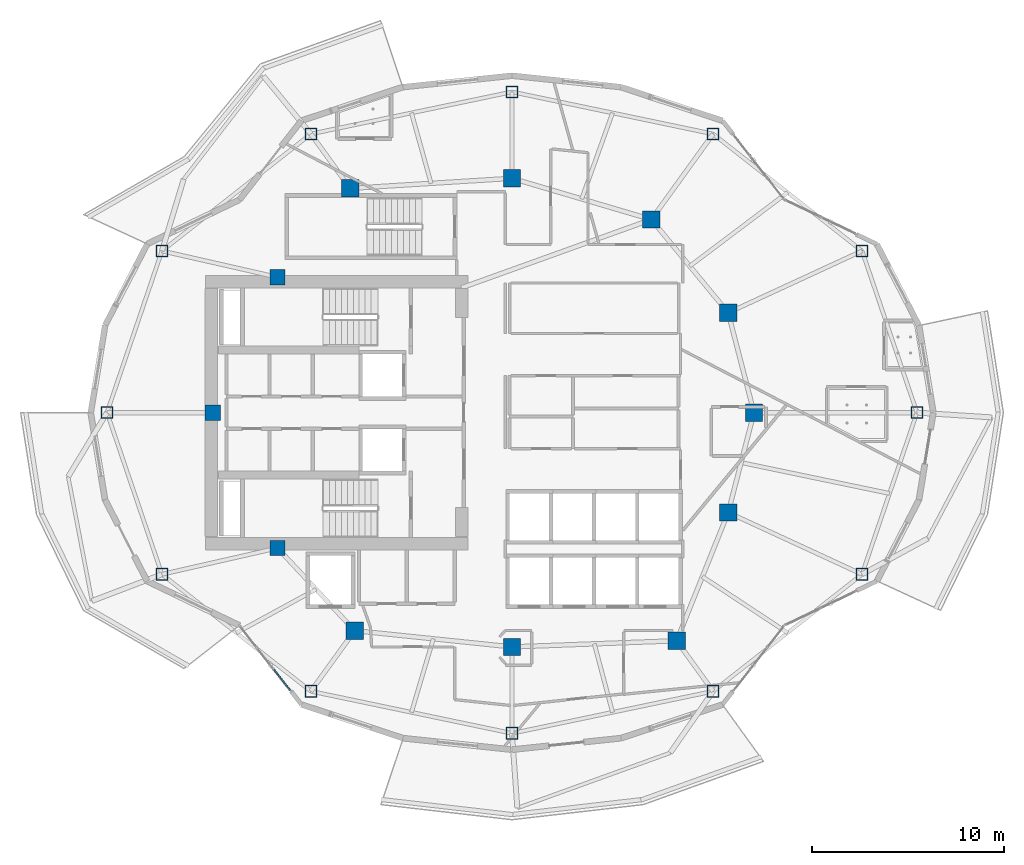
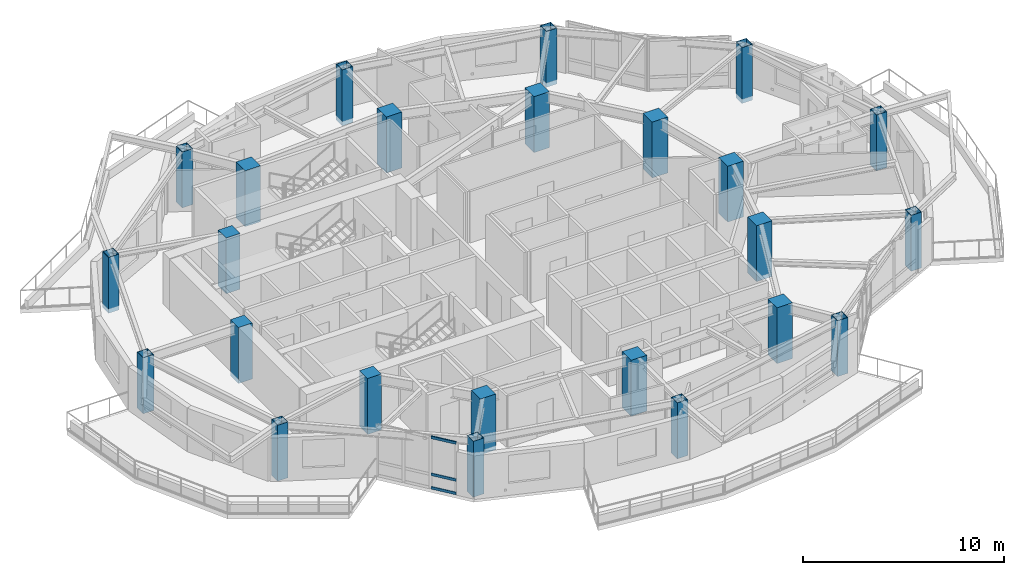
# One storey, part 1 of 19: 24 columns, 3 members, 1 element without a shape of its own.
"""IFC4 building model written with IfcOpenShell, lengths in metres."""

from ifc_helpers import new_model, si_unit, direction, frame, origin, origin_2d, place, context, subcontext, project, spatial, rectangle, hollow_rectangle, extrude, material, layer, layer_set, material_profile, profile_set, type_object, element, aggregate, save


model = new_model("IFC4")

# Units and contexts
model_context = context("Model", 3, precision=1e-05, world=origin(), true_north=direction((0.0, 1.0)))
body_context = subcontext(model_context, "Body", "Model", "MODEL_VIEW")
ifc_project = project(units=[si_unit("LENGTHUNIT", "METRE"), si_unit("AREAUNIT", "SQUARE_METRE"), si_unit("VOLUMEUNIT", "CUBIC_METRE"), si_unit("PLANEANGLEUNIT", "RADIAN"), si_unit("MASSUNIT", "GRAM", prefix="KILO")], contexts=[model_context])

# Site, building, storey
site_placement = place(None, origin())
site = spatial("IfcSite", under=ifc_project, at=site_placement, CompositionType="ELEMENT")
building_placement = place(site_placement, origin())
building = spatial("IfcBuilding", under=site, at=building_placement, Name="Kolvaren Gate Tower and Convention Centre", CompositionType="ELEMENT")
storey_placement = place(building_placement, frame((0.0, 0.0, 169.89990234375)))
storey = spatial("IfcBuildingStorey", under=building, at=storey_placement, Name="L44", CompositionType="ELEMENT", Elevation=169.89990234375)

# Columns
ifc_material_1 = material(Name="Structural steel ASTM A1085 Grade A 345 MPa", Category="steel")
ifc_material_profile_1 = material_profile(ifc_material_1, hollow_rectangle(XDim=0.610107421875, YDim=0.610107421875, WallThickness=0.025390625, at=origin_2d()), Name="HSS610X610X25.4")
ifc_profile_set_1 = profile_set([ifc_material_profile_1], Name="Structural steel ASTM A1085 Grade A 345 MPa")
column_type_1 = type_object("IfcColumnType", Name="STR-COL-HSS610", PredefinedType="COLUMN", material=ifc_profile_set_1)
for number, where, z_axis, x_axis, name in (
    (1, (51.21240234375, 27.0, -0.27001953125), (0.0, 0.0, 1.0), (1.0, 0.0, 0.0), "Tower L44 Perimeter Supercolumn TP-01"),
    (2, (48.351806640625, 35.418701171875, -0.27001953125), (0.0, 0.0, 1.0), (1.0, 0.0, 0.0), "Tower L44 Perimeter Supercolumn TP-02"),
    (3, (40.596435546875, 41.509521484375, -0.27001953125), (0.0, 0.0, 1.0), (1.0, 0.0, 0.0), "Tower L44 Perimeter Supercolumn TP-03"),
    (4, (30.125, 43.699951171875, -0.27001953125), (0.0, 0.0, 1.0), (1.0, 0.0, 0.0), "Tower L44 Perimeter Supercolumn TP-04"),
    (5, (19.65380859375, 41.509521484375, -0.27001953125), (0.0, 0.0, 1.0), (1.0, 0.0, 0.0), "Tower L44 Perimeter Supercolumn TP-05"),
    (6, (11.898193359375, 35.418701171875, -0.27001953125), (0.0, 0.0, 1.0), (1.0, 0.0, 0.0), "Tower L44 Perimeter Supercolumn TP-06"),
    (7, (9.03759765625, 27.0, -0.27001953125), (0.0, 0.0, 1.0), (1.0, 0.0, 0.0), "Tower L44 Perimeter Supercolumn TP-07"),
    (8, (11.898193359375, 18.581298828125, -0.27001953125), (0.0, 0.0, 1.0), (1.0, 0.0, 0.0), "Tower L44 Perimeter Supercolumn TP-08"),
    (9, (19.653564453125, 12.490478515625, -0.27001953125), (0.0, 0.0, 1.0), (1.0, 0.0, 0.0), "Tower L44 Perimeter Supercolumn TP-09"),
    (10, (30.125, 10.300048828125, -0.27001953125), (0.0, 0.0, 1.0), (1.0, 0.0, 0.0), "Tower L44 Perimeter Supercolumn TP-10"),
    (11, (40.596435546875, 12.490478515625, -0.27001953125), (0.0, 0.0, 1.0), (1.0, 0.0, 0.0), "Tower L44 Perimeter Supercolumn TP-11"),
    (12, (48.351806640625, 18.581298828125, -0.27001953125), (0.0, 0.0, 1.0), (1.0, 0.0, 0.0), "Tower L44 Perimeter Supercolumn TP-12"),
):
    element("IfcColumn", number, at=place(storey_placement, frame(where, z_axis=z_axis, x_axis=x_axis)), inside=storey, type_object=column_type_1, Name=name, PredefinedType="COLUMN", context=body_context, shape_type="SweptSolid", body=[
        extrude(hollow_rectangle(XDim=0.610107421875, YDim=0.610107421875, WallThickness=0.025390625, at=origin_2d()), origin(), (0.0, 0.0, 1.0), 3.400146484375),
    ])
ifc_material_2 = material(Name="Concrete C60/75", Category="concrete")
ifc_material_profile_2 = material_profile(ifc_material_2, rectangle(XDim=0.89990234375, YDim=0.89990234375, at=origin_2d()), Name="RC-COL-900X900")
ifc_profile_set_2 = profile_set([ifc_material_profile_2], Name="Concrete C60/75")
column_type_2 = type_object("IfcColumnType", Name="STR-COL-RC900", PredefinedType="COLUMN", material=ifc_profile_set_2)
for number, where, z_axis, x_axis, name in (
    (13, (42.72509765625, 27.0, -0.27001953125), (0.0, 0.0, 1.0), (1.0, 0.0, 0.0), "Tower L44 Interior Column TI-01"),
    (14, (41.382080078125, 32.199462890625, -0.27001953125), (0.0, 0.0, 1.0), (1.0, 0.0, 0.0), "Tower L44 Interior Column TI-02"),
    (15, (37.381591796875, 37.054931640625, -0.27001953125), (0.0, 0.0, 1.0), (1.0, 0.0, 0.0), "Tower L44 Interior Column TI-03"),
    (16, (30.125, 39.199951171875, -0.27001953125), (0.0, 0.0, 1.0), (1.0, 0.0, 0.0), "Tower L44 Interior Column TI-04"),
    (17, (21.697998046875, 38.6767578125, -0.27001953125), (0.0, 0.0, 1.0), (1.0, 0.0, 0.0), "Tower L44 Interior Column TI-05"),
    (18, (21.93212890625, 15.647705078125, -0.27001953125), (0.0, 0.0, 1.0), (1.0, 0.0, 0.0), "Tower L44 Interior Column TI-06"),
    (19, (30.125, 14.800048828125, -0.27001953125), (0.0, 0.0, 1.0), (1.0, 0.0, 0.0), "Tower L44 Interior Column TI-07"),
    (20, (38.6982421875, 15.12060546875, -0.27001953125), (0.0, 0.0, 1.0), (1.0, 0.0, 0.0), "Tower L44 Interior Column TI-08"),
    (21, (41.382080078125, 21.800537109375, -0.27001953125), (0.0, 0.0, 1.0), (1.0, 0.0, 0.0), "Tower L44 Interior Column TI-09"),
):
    element("IfcColumn", number, at=place(storey_placement, frame(where, z_axis=z_axis, x_axis=x_axis)), inside=storey, type_object=column_type_2, Name=name, PredefinedType="COLUMN", context=body_context, shape_type="SweptSolid", body=[
        extrude(rectangle(XDim=0.89990234375, YDim=0.89990234375, at=origin_2d()), origin(), (0.0, 0.0, 1.0), 3.400146484375),
    ])
ifc_material_profile_3 = material_profile(ifc_material_2, rectangle(XDim=0.800048828125, YDim=0.800048828125, at=origin_2d()), Name="RC-COL-800X800")
ifc_profile_set_3 = profile_set([ifc_material_profile_3], Name="Concrete C60/75")
column_type_3 = type_object("IfcColumnType", Name="STR-PIL-RC800", PredefinedType="PILASTER", material=ifc_profile_set_3)
for number, where, z_axis, x_axis, name in (
    (22, (17.9140625, 34.050048828125, -0.27001953125), (0.0, 0.0, 1.0), (1.0, 0.0, 0.0), "Tower L44 Core Boundary Pilaster TC-05"),
    (23, (14.550048828125, 27.0, -0.27001953125), (0.0, 0.0, 1.0), (1.0, 0.0, 0.0), "Tower L44 Core Boundary Pilaster TC-06"),
    (24, (17.9140625, 19.949951171875, -0.27001953125), (0.0, 0.0, 1.0), (1.0, 0.0, 0.0), "Tower L44 Core Boundary Pilaster TC-07"),
):
    element("IfcColumn", number, at=place(storey_placement, frame(where, z_axis=z_axis, x_axis=x_axis)), inside=storey, type_object=column_type_3, Name=name, PredefinedType="PILASTER", context=body_context, shape_type="SweptSolid", body=[
        extrude(rectangle(XDim=0.800048828125, YDim=0.800048828125, at=origin_2d()), origin(), (0.0, 0.0, 1.0), 3.400146484375),
    ])

# Curtain wall, members
ifc_material_3 = material(Name="Anodized Architectural Aluminium Alloy 6063-T6", Category="aluminium")
ifc_layer = layer(ifc_material_3, 0.159912109375)
ifc_layer_set = layer_set([ifc_layer], Name="Anodized Architectural Aluminium Alloy 6063-T6")
curtain_wall_type = type_object("IfcCurtainWallType", Name="CW-HTL-UNIT", PredefinedType="NOTDEFINED", material=ifc_layer_set)
curtain_wall_placement = place(storey_placement, origin())
curtain_wall = element("IfcCurtainWall", 25, at=curtain_wall_placement, inside=storey, type_object=curtain_wall_type, Name="Tower L44 Unitised Curtain Wall CW-HTL-UNIT Bay 15", PredefinedType="NOTDEFINED")
ifc_material_profile_4 = material_profile(ifc_material_3, rectangle(XDim=0.06494140625, YDim=0.159912109375, at=origin_2d()), Name="CW-MEM-TRN-160")
ifc_profile_set_4 = profile_set([ifc_material_profile_4], Name="Anodized Architectural Aluminium Alloy 6063-T6")
member_type = type_object("IfcMemberType", Name="CW-MEM-TRN-160", PredefinedType="USERDEFINED", material=ifc_profile_set_4)
member_1_placement = place(storey_placement, frame((17.742919921875, 13.6064453125, 0.03271484375), z_axis=(0.616376452985, -0.787451629121, 0.0), x_axis=(0.787451629121, 0.616376452985, 0.0)))
member_1 = element("IfcMember", 26, at=member_1_placement, type_object=member_type, Name="CW-03 transom 3.1", ObjectType="TRANSOM", PredefinedType="USERDEFINED", context=body_context, shape_type="SweptSolid", body=[
    extrude(rectangle(XDim=0.06494140625, YDim=0.159912109375, at=origin_2d()), origin(), (0.0, 0.0, 1.0), 1.3515625),
])
member_2_placement = place(storey_placement, frame((17.742919921875, 13.6064453125, 0.85009765625), z_axis=(0.616376452985, -0.787451629121, 0.0), x_axis=(0.787451629121, 0.616376452985, 0.0)))
member_2 = element("IfcMember", 27, at=member_2_placement, type_object=member_type, Name="CW-03 transom 3.2", ObjectType="TRANSOM", PredefinedType="USERDEFINED", context=body_context, shape_type="SweptSolid", body=[
    extrude(rectangle(XDim=0.06494140625, YDim=0.159912109375, at=origin_2d()), origin(), (0.0, 0.0, 1.0), 1.3515625),
])
member_3_placement = place(storey_placement, frame((17.742919921875, 13.6064453125, 3.09765625), z_axis=(0.616376452985, -0.787451629121, 0.0), x_axis=(0.787451629121, 0.616376452985, 0.0)))
member_3 = element("IfcMember", 28, at=member_3_placement, type_object=member_type, Name="CW-03 transom 3.3", ObjectType="TRANSOM", PredefinedType="USERDEFINED", context=body_context, shape_type="SweptSolid", body=[
    extrude(rectangle(XDim=0.06494140625, YDim=0.159912109375, at=origin_2d()), origin(), (0.0, 0.0, 1.0), 1.3515625),
])
aggregate(curtain_wall, [member_1, member_2, member_3])

save(model, "model.ifc")
